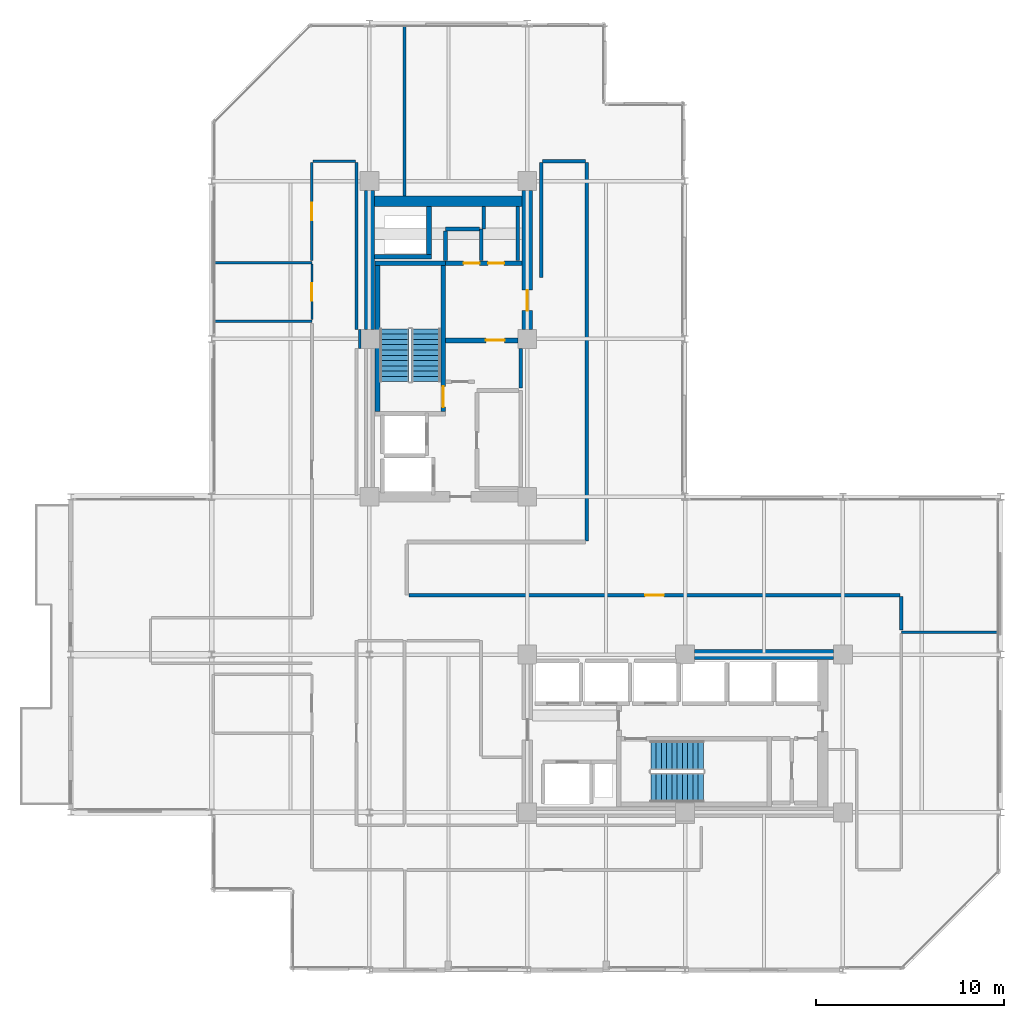
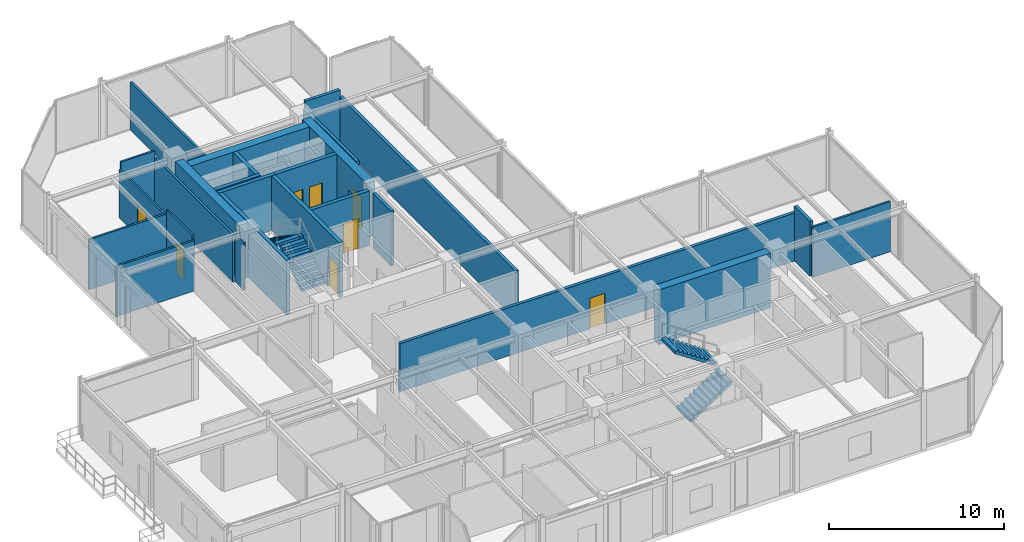
# One storey, part 26 of 29: 31 walls, 8 doors, 4 stair flights, 8 openings, 2 elements without a shape of their own.
"""IFC4 building model written with IfcOpenShell, lengths in metres."""

from ifc_helpers import new_model, si_unit, direction, frame, frame_2d, origin, place, context, subcontext, project, spatial, polyline, rectangle, outline, extrude, material, layer, layer_set, type_object, element, fill, aggregate, save


model = new_model("IFC4")

# Units and contexts
model_context = context("Model", 3, precision=1e-05, world=origin(), true_north=direction((0.0, 1.0)))
body_context = subcontext(model_context, "Body", "Model", "MODEL_VIEW")
ifc_project = project(units=[si_unit("LENGTHUNIT", "METRE"), si_unit("AREAUNIT", "SQUARE_METRE"), si_unit("VOLUMEUNIT", "CUBIC_METRE"), si_unit("PLANEANGLEUNIT", "RADIAN"), si_unit("MASSUNIT", "GRAM", prefix="KILO")], contexts=[model_context])

# Site, building, storey
site_placement = place(None, origin())
site = spatial("IfcSite", under=ifc_project, at=site_placement, CompositionType="ELEMENT")
building_placement = place(site_placement, origin())
building = spatial("IfcBuilding", under=site, at=building_placement, Name="Nerrivon Quay Data Exchange", CompositionType="ELEMENT")
storey_placement = place(building_placement, frame((0.0, 0.0, 175.5)))
storey = spatial("IfcBuildingStorey", under=building, at=storey_placement, Name="L41", CompositionType="ELEMENT", Elevation=175.5)

# Walls
ifc_material_1 = material(Name="Concrete S65 (65 MPa)", Category="concrete")
ifc_layer_1 = layer(ifc_material_1, 0.550048828125)
ifc_layer_set_1 = layer_set([ifc_layer_1], Name="Concrete S65 (65 MPa)")
wall_type_1 = type_object("IfcWallType", Name="WALL-CW-700", PredefinedType="SHEAR", material=ifc_layer_set_1)
wall_1_placement = place(storey_placement, frame((8.39990234375, 34.10009765625, 0.0), z_axis=(0.0, 0.0, 1.0), x_axis=(0.0, 1.0, 0.0)))
element("IfcWall", 1, at=wall_1_placement, inside=storey, type_object=wall_type_1, Name="L41 West Split-Core Shear Wall WCW-W2", PredefinedType="SHEAR", context=body_context, shape_type="SweptSolid", body=[
    extrude(rectangle(XDim=7.39990234375, YDim=0.550048828125, at=frame_2d((3.699951171875, 0.0))), origin(), (0.0, 0.0, 1.0), 3.824951171875),
])
wall_2_placement = place(storey_placement, frame((8.675048828125, 40.925048828125, 0.0), z_axis=(0.0, 0.0, 1.0), x_axis=(1.0, 0.0, 0.0)))
element("IfcWall", 2, at=wall_2_placement, inside=storey, type_object=wall_type_1, Name="L41 West Split-Core Shear Wall WCW-N1", PredefinedType="SHEAR", context=body_context, shape_type="SweptSolid", body=[
    extrude(rectangle(XDim=7.849853515625, YDim=0.550048828125, at=frame_2d((3.9248046875, 0.0))), origin(), (0.0, 0.0, 1.0), 3.824951171875),
])

# Wall, opening, door
wall_3_placement = place(storey_placement, frame((16.800048828125, 34.10009765625, 0.0), z_axis=(0.0, 0.0, 1.0), x_axis=(0.0, 1.0, 0.0)))
wall_3 = element("IfcWall", 3, at=wall_3_placement, inside=storey, type_object=wall_type_1, Name="L41 West Split-Core Shear Wall WCW-E1", PredefinedType="SHEAR", context=body_context, shape_type="SweptSolid", body=[
    extrude(rectangle(XDim=7.39990234375, YDim=0.550048828125, at=frame_2d((3.699951171875, 0.0))), origin(), (0.0, 0.0, 1.0), 3.824951171875),
])
opening_1_placement = place(wall_3_placement, frame((1.0, 0.0, 0.0)))
opening_1 = element("IfcOpeningElement", 4, at=opening_1_placement, cuts=wall_3, Name="Opening FD-120", PredefinedType="OPENING", context=body_context, shape_type="SweptSolid", body=[
    extrude(rectangle(XDim=1.10009765625, YDim=2.14990234375, at=frame_2d((0.550048828125, 1.074951171875))), frame((0.0, 0.284912109375, 0.0), z_axis=(0.0, -1.0, 0.0), x_axis=(1.0, 0.0, 0.0)), (0.0, 0.0, 1.0), 0.570068359375),
])
ifc_material_2 = material(Name="Powder-coated galvanized steel sheet", Category="steel")
door_type_1 = type_object("IfcDoorType", Name="DR-FD120-1100", OperationType="NOTDEFINED", PredefinedType="DOOR", material=ifc_material_2)
door_1_placement = place(opening_1_placement, origin())
door_1 = element("IfcDoor", 5, at=door_1_placement, inside=storey, type_object=door_type_1, Name="L41 West Core Lobby Fire Door", OperationType="SINGLE_SWING_LEFT", OverallHeight=2.14990234375, OverallWidth=1.10009765625, PredefinedType="DOOR", context=body_context, shape_type="SweptSolid", body=[
    extrude(rectangle(XDim=1.10009765625, YDim=2.14990234375, at=frame_2d((0.550048828125, 1.074951171875))), frame((0.0, 0.02490234375, 0.0), z_axis=(0.0, -1.0, 0.0), x_axis=(1.0, 0.0, 0.0)), (0.0, 0.0, 1.0), 0.050048828125),
])
fill(opening_1, door_1)

# Walls
wall_4_placement = place(storey_placement, frame((25.699951171875, 16.800048828125, 0.0), z_axis=(0.0, 0.0, 1.0), x_axis=(1.0, 0.0, 0.0)))
element("IfcWall", 6, at=wall_4_placement, inside=storey, type_object=wall_type_1, Name="L41 East Split-Core Shear Wall ECW-N1", PredefinedType="SHEAR", context=body_context, shape_type="SweptSolid", body=[
    extrude(rectangle(XDim=7.400146484375, YDim=0.550048828125, at=frame_2d((3.7001953125, 0.0))), origin(), (0.0, 0.0, 1.0), 3.824951171875),
])
ifc_material_3 = material(Name="Gypsum plasterboard on cold-formed framing", Category="gypsum")
ifc_layer_2 = layer(ifc_material_3, 0.199951171875)
ifc_layer_set_2 = layer_set([ifc_layer_2], Name="Gypsum plasterboard on cold-formed framing")
wall_type_2 = type_object("IfcWallType", Name="WALL-FW-200", PredefinedType="PARTITIONING", material=ifc_layer_set_2)
wall_5_placement = place(storey_placement, frame((16.449951171875, 31.0, 0.0), z_axis=(0.0, 0.0, 1.0), x_axis=(0.0, 1.0, 0.0)))
element("IfcWall", 7, at=wall_5_placement, inside=storey, type_object=wall_type_2, Name="L41 Partition Core Equipment Closet", PredefinedType="PARTITIONING", context=body_context, shape_type="SweptSolid", body=[
    extrude(rectangle(XDim=2.094970703125, YDim=0.199951171875, at=frame_2d((1.04736328125, 0.0))), origin(), (0.0, 0.0, 1.0), 3.824951171875),
])
wall_6_placement = place(storey_placement, frame((14.35009765625, 37.780029296875, 0.0), z_axis=(0.0, 0.0, 1.0), x_axis=(0.0, 1.0, 0.0)))
element("IfcWall", 8, at=wall_6_placement, inside=storey, type_object=wall_type_2, Name="L41 Partition Equipment Store", PredefinedType="PARTITIONING", context=body_context, shape_type="SweptSolid", body=[
    extrude(rectangle(XDim=1.669921875, YDim=0.199951171875, at=frame_2d((0.8349609375, 0.0))), origin(), (0.0, 0.0, 1.0), 2.875),
])
wall_7_placement = place(storey_placement, frame((14.24609375, 39.449951171875, 0.0), z_axis=(0.0, 0.0, 1.0), x_axis=(-1.0, 0.0, 0.0)))
element("IfcWall", 9, at=wall_7_placement, inside=storey, type_object=wall_type_2, Name="L41 Partition Equipment Store", PredefinedType="PARTITIONING", context=body_context, shape_type="SweptSolid", body=[
    extrude(rectangle(XDim=1.796142578125, YDim=0.199951171875, at=frame_2d((0.89794921875, 0.0))), origin(), (0.0, 0.0, 1.0), 2.875),
])
wall_8_placement = place(storey_placement, frame((12.449951171875, 39.345947265625, 0.0), z_axis=(0.0, 0.0, 1.0), x_axis=(0.0, -1.0, 0.0)))
element("IfcWall", 10, at=wall_8_placement, inside=storey, type_object=wall_type_2, Name="L41 Partition Equipment Store", PredefinedType="PARTITIONING", context=body_context, shape_type="SweptSolid", body=[
    extrude(rectangle(XDim=1.56591796875, YDim=0.199951171875, at=frame_2d((0.782958984375, 0.0))), origin(), (0.0, 0.0, 1.0), 2.875),
])
wall_9_placement = place(storey_placement, frame((16.300048828125, 37.780029296875, 0.0), z_axis=(0.0, 0.0, 1.0), x_axis=(0.0, 1.0, 0.0)))
element("IfcWall", 11, at=wall_9_placement, inside=storey, type_object=wall_type_2, Name="L41 Partition Cleaners Store", PredefinedType="PARTITIONING", context=body_context, shape_type="SweptSolid", body=[
    extrude(rectangle(XDim=2.865966796875, YDim=0.199951171875, at=frame_2d((1.43310546875, 0.0))), origin(), (0.0, 0.0, 1.0), 2.875),
])
wall_10_placement = place(storey_placement, frame((14.489990234375, 40.64599609375, 0.0), z_axis=(0.0, 0.0, 1.0), x_axis=(0.0, -1.0, 0.0)))
element("IfcWall", 12, at=wall_10_placement, inside=storey, type_object=wall_type_2, Name="L41 Partition Cleaners Store", PredefinedType="PARTITIONING", context=body_context, shape_type="SweptSolid", body=[
    extrude(rectangle(XDim=1.196044921875, YDim=0.199951171875, at=frame_2d((0.59814453125, 0.0))), origin(), (0.0, 0.0, 1.0), 2.875),
])
wall_11_placement = place(storey_placement, frame((36.7099609375, 19.89990234375, 0.0), z_axis=(0.0, 0.0, 1.0), x_axis=(0.0, -1.0, 0.0)))
element("IfcWall", 13, at=wall_11_placement, inside=storey, type_object=wall_type_2, Name="L41 Partition Colocation Data Workspace 1", PredefinedType="PARTITIONING", context=body_context, shape_type="SweptSolid", body=[
    extrude(rectangle(XDim=1.78076171875, YDim=0.199951171875, at=frame_2d((0.890380859375, 0.0))), origin(), (0.0, 0.0, 1.0), 3.824951171875),
])
wall_12_placement = place(storey_placement, frame((17.5400390625, 36.860107421875, 0.0), z_axis=(0.0, 0.0, 1.0), x_axis=(0.0, 1.0, 0.0)))
element("IfcWall", 14, at=wall_12_placement, inside=storey, type_object=wall_type_2, Name="L41 Partition Colocation Data Workspace 1", PredefinedType="PARTITIONING", context=body_context, shape_type="SweptSolid", body=[
    extrude(rectangle(XDim=6.139892578125, YDim=0.199951171875, at=frame_2d((3.06982421875, 0.0))), origin(), (0.0, 0.0, 1.0), 3.364990234375),
])
wall_13_placement = place(storey_placement, frame((17.60009765625, 43.06005859375, 0.0), z_axis=(0.0, 0.0, 1.0), x_axis=(1.0, 0.0, 0.0)))
element("IfcWall", 15, at=wall_13_placement, inside=storey, type_object=wall_type_2, Name="L41 Partition Colocation Data Workspace 1", PredefinedType="PARTITIONING", context=body_context, shape_type="SweptSolid", body=[
    extrude(rectangle(XDim=2.2998046875, YDim=0.199951171875, at=frame_2d((1.14990234375, 0.0))), origin(), (0.0, 0.0, 1.0), 3.824951171875),
])
wall_14_placement = place(storey_placement, frame((19.9599609375, 43.0, 0.0), z_axis=(0.0, 0.0, 1.0), x_axis=(0.0, -1.0, 0.0)))
element("IfcWall", 16, at=wall_14_placement, inside=storey, type_object=wall_type_2, Name="L41 Partition Colocation Data Workspace 1", PredefinedType="PARTITIONING", context=body_context, shape_type="SweptSolid", body=[
    extrude(rectangle(XDim=20.14990234375, YDim=0.199951171875, at=frame_2d((10.074951171875, 0.0))), origin(), (0.0, 0.0, 1.0), 3.364990234375),
])

# Wall, opening, door
wall_15_placement = place(storey_placement, frame((10.493896484375, 19.9599609375, 0.0), z_axis=(0.0, 0.0, 1.0), x_axis=(1.0, 0.0, 0.0)))
wall_15 = element("IfcWall", 17, at=wall_15_placement, inside=storey, type_object=wall_type_2, Name="L41 Partition Colocation Data Workspace 1", PredefinedType="PARTITIONING", context=body_context, shape_type="SweptSolid", body=[
    extrude(rectangle(XDim=26.156005859375, YDim=0.199951171875, at=frame_2d((13.078125, 0.0))), origin(), (0.0, 0.0, 1.0), 3.37109375),
])
opening_2_placement = place(wall_15_placement, frame((12.578125, 0.0, 0.0)))
opening_2 = element("IfcOpeningElement", 18, at=opening_2_placement, cuts=wall_15, Name="Opening FD-60", PredefinedType="OPENING", context=body_context, shape_type="SweptSolid", body=[
    extrude(rectangle(XDim=1.0, YDim=2.14990234375, at=frame_2d((0.5, 1.074951171875))), frame((0.0, 0.10986328125, 0.0), z_axis=(0.0, -1.0, 0.0), x_axis=(1.0, 0.0, 0.0)), (0.0, 0.0, 1.0), 0.219970703125),
])
ifc_material_4 = material(Name="Engineered hardwood timber", Category="wood")
door_type_2 = type_object("IfcDoorType", Name="DR-FD60-1000", OperationType="NOTDEFINED", PredefinedType="DOOR", material=ifc_material_4)
door_2_placement = place(opening_2_placement, origin())
door_2 = element("IfcDoor", 19, at=door_2_placement, inside=storey, type_object=door_type_2, Name="L41 Door Colocation Data Workspace 1", OperationType="SINGLE_SWING_LEFT", OverallHeight=2.14990234375, OverallWidth=1.0, PredefinedType="DOOR", context=body_context, shape_type="SweptSolid", body=[
    extrude(rectangle(XDim=1.0, YDim=2.14990234375, at=frame_2d((0.5, 1.074951171875))), frame((0.0, 0.02490234375, 0.0), z_axis=(0.0, -1.0, 0.0), x_axis=(1.0, 0.0, 0.0)), (0.0, 0.0, 1.0), 0.050048828125),
])
fill(opening_2, door_2)

ifc_layer_3 = layer(ifc_material_3, 0.1201171875)
ifc_layer_set_3 = layer_set([ifc_layer_3], Name="Gypsum plasterboard on cold-formed framing")
wall_type_3 = type_object("IfcWallType", Name="WALL-PT-120", PredefinedType="PARTITIONING", material=ifc_layer_set_3)
wall_16_placement = place(storey_placement, frame((5.340087890625, 34.62158203125, 0.0), z_axis=(0.0, 0.0, 1.0), x_axis=(0.0, 1.0, 0.0)))
wall_16 = element("IfcWall", 20, at=wall_16_placement, inside=storey, type_object=wall_type_3, Name="L41 Partition Public Washrooms", PredefinedType="PARTITIONING", context=body_context, shape_type="SweptSolid", body=[
    extrude(rectangle(XDim=2.95703125, YDim=0.1201171875, at=frame_2d((1.478515625, 0.0))), origin(), (0.0, 0.0, 1.0), 3.824951171875),
])
opening_3_placement = place(wall_16_placement, frame((1.0185546875, 0.0, 0.0)))
opening_3 = element("IfcOpeningElement", 21, at=opening_3_placement, cuts=wall_16, Name="Opening D-WC", PredefinedType="OPENING", context=body_context, shape_type="SweptSolid", body=[
    extrude(rectangle(XDim=0.919921875, YDim=2.10009765625, at=frame_2d((0.4599609375, 1.050048828125))), frame((0.0, 0.070068359375, 0.0), z_axis=(0.0, -1.0, 0.0), x_axis=(1.0, 0.0, 0.0)), (0.0, 0.0, 1.0), 0.14013671875),
])
door_type_3 = type_object("IfcDoorType", Name="DR-WC-920", OperationType="NOTDEFINED", PredefinedType="DOOR", material=ifc_material_4)
door_3_placement = place(opening_3_placement, origin())
door_3 = element("IfcDoor", 22, at=door_3_placement, inside=storey, type_object=door_type_3, Name="L41 Door Public Washrooms", OperationType="SINGLE_SWING_RIGHT", OverallHeight=2.10009765625, OverallWidth=0.919921875, PredefinedType="DOOR", context=body_context, shape_type="SweptSolid", body=[
    extrude(rectangle(XDim=0.919921875, YDim=2.10009765625, at=frame_2d((0.4599609375, 1.050048828125))), frame((0.0, 0.02490234375, 0.0), z_axis=(0.0, -1.0, 0.0), x_axis=(1.0, 0.0, 0.0)), (0.0, 0.0, 1.0), 0.050048828125),
])
fill(opening_3, door_3)

# Walls
wall_17_placement = place(storey_placement, frame((7.88037109375, 33.09619140625, 0.0), z_axis=(0.0, 0.0, 1.0), x_axis=(-0.000486381265, 0.999999881717, 0.0)))
element("IfcWall", 23, at=wall_17_placement, inside=storey, type_object=wall_type_3, Name="L41 Partition Network Security Control", PredefinedType="PARTITIONING", context=body_context, shape_type="SweptSolid", body=[
    extrude(rectangle(XDim=1.00390625, YDim=0.1201171875, at=frame_2d((0.501953125, 0.0))), origin(), (0.0, 0.0, 1.0), 3.364990234375),
])
wall_18_placement = place(storey_placement, frame((5.39990234375, 43.06005859375, 0.0), z_axis=(0.0, 0.0, 1.0), x_axis=(1.0, 0.0, 0.0)))
element("IfcWall", 24, at=wall_18_placement, inside=storey, type_object=wall_type_3, Name="L41 Partition Network Security Control", PredefinedType="PARTITIONING", context=body_context, shape_type="SweptSolid", body=[
    extrude(rectangle(XDim=2.25, YDim=0.1201171875, at=frame_2d((1.125, 0.0))), origin(), (0.0, 0.0, 1.0), 3.824951171875),
])
ifc_layer_4 = layer(ifc_material_3, 0.135009765625)
ifc_layer_set_4 = layer_set([ifc_layer_4], Name="Gypsum plasterboard on cold-formed framing")
wall_type_4 = type_object("IfcWallType", Name="WALL-PT-135", PredefinedType="PARTITIONING", material=ifc_layer_set_4)
for number, where, z_axis, x_axis, name in (
    (25, (5.340087890625, 37.64990234375, 0.0), (0.0, 0.0, 1.0), (-1.0, 0.0, 0.0), "L41 Partition Public Washrooms"),
    (26, (0.1689453125, 34.550048828125, 0.0), (0.0, 0.0, 1.0), (1.0, 0.0, 0.0), "L41 Partition Public Washrooms"),
):
    element("IfcWall", number, at=place(storey_placement, frame(where, z_axis=z_axis, x_axis=x_axis)), inside=storey, type_object=wall_type_4, Name=name, PredefinedType="PARTITIONING", context=body_context, shape_type="SweptSolid", body=[
        extrude(rectangle(XDim=5.171142578125, YDim=0.135009765625, at=frame_2d((2.58544921875, 0.0))), origin(), (0.0, 0.0, 1.0), 3.51806640625),
    ])

# Wall, opening, door
wall_19_placement = place(storey_placement, frame((5.340087890625, 37.77001953125, 0.0), z_axis=(0.0, 0.0, 1.0), x_axis=(0.0, 1.0, 0.0)))
wall_19 = element("IfcWall", 27, at=wall_19_placement, inside=storey, type_object=wall_type_4, Name="L41 Partition Network Security Control", PredefinedType="PARTITIONING", context=body_context, shape_type="SweptSolid", body=[
    extrude(rectangle(XDim=5.22998046875, YDim=0.135009765625, at=frame_2d((2.614990234375, 0.0))), origin(), (0.0, 0.0, 1.0), 3.364990234375),
])
opening_4_placement = place(wall_19_placement, frame((2.139892578125, 0.0, 0.0)))
opening_4 = element("IfcOpeningElement", 28, at=opening_4_placement, cuts=wall_19, Name="Opening D-01", PredefinedType="OPENING", context=body_context, shape_type="SweptSolid", body=[
    extrude(rectangle(XDim=0.949951171875, YDim=2.14990234375, at=frame_2d((0.47509765625, 1.074951171875))), frame((0.0, 0.077392578125, 0.0), z_axis=(0.0, -1.0, 0.0), x_axis=(1.0, 0.0, 0.0)), (0.0, 0.0, 1.0), 0.155029296875),
])
door_type_4 = type_object("IfcDoorType", Name="DR-INT-950", OperationType="NOTDEFINED", PredefinedType="DOOR", material=ifc_material_4)
door_4_placement = place(opening_4_placement, origin())
door_4 = element("IfcDoor", 29, at=door_4_placement, inside=storey, type_object=door_type_4, Name="L41 Door Network Security Control", OperationType="SINGLE_SWING_RIGHT", OverallHeight=2.14990234375, OverallWidth=0.949951171875, PredefinedType="DOOR", context=body_context, shape_type="SweptSolid", body=[
    extrude(rectangle(XDim=0.949951171875, YDim=2.14990234375, at=frame_2d((0.47509765625, 1.074951171875))), frame((0.0, 0.02490234375, 0.0), z_axis=(0.0, -1.0, 0.0), x_axis=(1.0, 0.0, 0.0)), (0.0, 0.0, 1.0), 0.050048828125),
])
fill(opening_4, door_4)

# Walls
wall_20_placement = place(storey_placement, frame((41.8310546875, 17.999267578125, 0.0), z_axis=(0.0, 0.0, 1.0), x_axis=(-1.0, 0.0, 0.0)))
element("IfcWall", 30, at=wall_20_placement, inside=storey, type_object=wall_type_4, Name="L41 Partition Technical Library", PredefinedType="PARTITIONING", context=body_context, shape_type="SweptSolid", body=[
    extrude(rectangle(XDim=5.12109375, YDim=0.135009765625, at=frame_2d((2.560546875, 0.0))), origin(), (0.0, 0.0, 1.0), 3.51806640625),
])
ifc_layer_5 = layer(ifc_material_3, 0.14990234375)
ifc_layer_set_5 = layer_set([ifc_layer_5], Name="Gypsum plasterboard on cold-formed framing")
wall_type_5 = type_object("IfcWallType", Name="WALL-PT-150", PredefinedType="PARTITIONING", material=ifc_layer_set_5)
wall_21_placement = place(storey_placement, frame((10.269775390625, 41.2041015625, 0.0), z_axis=(0.0, 0.0, 1.0), x_axis=(0.0, 1.0, 0.0)))
element("IfcWall", 31, at=wall_21_placement, inside=storey, type_object=wall_type_5, Name="L41 Partition Network Security Control", PredefinedType="PARTITIONING", context=body_context, shape_type="SweptSolid", body=[
    extrude(rectangle(XDim=9.02685546875, YDim=0.14990234375, at=frame_2d((4.513427734375, 0.0))), origin(), (0.0, 0.0, 1.0), 3.364990234375),
])
wall_22_placement = place(storey_placement, frame((7.7099609375, 43.0, 0.0), z_axis=(0.0, 0.0, 1.0), x_axis=(0.0, -1.0, 0.0)))
element("IfcWall", 32, at=wall_22_placement, inside=storey, type_object=wall_type_5, Name="L41 Partition Network Security Control", PredefinedType="PARTITIONING", context=body_context, shape_type="SweptSolid", body=[
    extrude(rectangle(XDim=8.900146484375, YDim=0.14990234375, at=frame_2d((4.4501953125, 0.0))), origin(), (0.0, 0.0, 1.0), 3.364990234375),
])
ifc_material_5 = material(Name="Concrete N50 (50 MPa)", Category="concrete")
ifc_layer_6 = layer(ifc_material_5, 0.25)
ifc_layer_set_6 = layer_set([ifc_layer_6], Name="Concrete N50 (50 MPa)")
wall_type_6 = type_object("IfcWallType", Name="WALL-SW-250", PredefinedType="SHEAR", material=ifc_layer_set_6)
wall_23_placement = place(storey_placement, frame((12.449951171875, 37.625, 0.0), z_axis=(0.0, 0.0, 1.0), x_axis=(-1.0, 0.0, 0.0)))
element("IfcWall", 33, at=wall_23_placement, inside=storey, type_object=wall_type_6, Name="L41 ST01 Structural Stair Core Wall FAR", PredefinedType="SHEAR", context=body_context, shape_type="SweptSolid", body=[
    extrude(rectangle(XDim=3.75, YDim=0.25, at=frame_2d((1.875, 0.0))), origin(), (0.0, 0.0, 1.0), 3.824951171875),
])

# Wall, opening, door
wall_24_placement = place(storey_placement, frame((12.324951171875, 29.75, 0.0), z_axis=(0.0, 0.0, 1.0), x_axis=(0.0, 1.0, 0.0)))
wall_24 = element("IfcWall", 34, at=wall_24_placement, inside=storey, type_object=wall_type_6, Name="L41 ST01 Structural Stair Core Wall LEFT", PredefinedType="SHEAR", context=body_context, shape_type="SweptSolid", body=[
    extrude(rectangle(XDim=7.75, YDim=0.25, at=frame_2d((3.875, 0.0))), origin(), (0.0, 0.0, 1.0), 3.824951171875),
])
opening_5_placement = place(wall_24_placement, frame((0.219970703125, 0.0, 0.0)))
opening_5 = element("IfcOpeningElement", 35, at=opening_5_placement, cuts=wall_24, Name="Opening FD-120", PredefinedType="OPENING", context=body_context, shape_type="SweptSolid", body=[
    extrude(rectangle(XDim=1.10009765625, YDim=2.14990234375, at=frame_2d((0.550048828125, 1.074951171875))), frame((0.0, 0.135009765625, 0.0), z_axis=(0.0, -1.0, 0.0), x_axis=(1.0, 0.0, 0.0)), (0.0, 0.0, 1.0), 0.27001953125),
])
door_5_placement = place(opening_5_placement, origin())
door_5 = element("IfcDoor", 36, at=door_5_placement, inside=storey, type_object=door_type_1, Name="L41 Protected Stair Door ST01", OperationType="SINGLE_SWING_LEFT", OverallHeight=2.14990234375, OverallWidth=1.10009765625, PredefinedType="DOOR", context=body_context, shape_type="SweptSolid", body=[
    extrude(rectangle(XDim=1.10009765625, YDim=2.14990234375, at=frame_2d((0.550048828125, 1.074951171875))), frame((0.0, 0.02490234375, 0.0), z_axis=(0.0, -1.0, 0.0), x_axis=(1.0, 0.0, 0.0)), (0.0, 0.0, 1.0), 0.050048828125),
])
fill(opening_5, door_5)

# Walls
wall_25_placement = place(storey_placement, frame((8.824951171875, 29.75, 0.0), z_axis=(0.0, 0.0, 1.0), x_axis=(0.0, 1.0, 0.0)))
element("IfcWall", 37, at=wall_25_placement, inside=storey, type_object=wall_type_6, Name="L41 ST01 Structural Stair Core Wall RIGHT", PredefinedType="SHEAR", context=body_context, shape_type="SweptSolid", body=[
    extrude(rectangle(XDim=7.75, YDim=0.25, at=frame_2d((3.875, 0.0))), origin(), (0.0, 0.0, 1.0), 3.824951171875),
])
wall_26_placement = place(storey_placement, frame((8.675048828125, 37.97509765625, 0.0), z_axis=(0.0, 0.0, 1.0), x_axis=(1.0, 0.0, 0.0)))
element("IfcWall", 38, at=wall_26_placement, inside=storey, type_object=wall_type_6, Name="L41 West Core MEP Riser Shaft Wall S", PredefinedType="SHEAR", context=body_context, shape_type="SweptSolid", body=[
    extrude(rectangle(XDim=3.02490234375, YDim=0.25, at=frame_2d((1.512451171875, 0.0))), origin(), (0.0, 0.0, 1.0), 3.824951171875),
])
wall_27_placement = place(storey_placement, frame((11.574951171875, 38.10009765625, 0.0), z_axis=(0.0, 0.0, 1.0), x_axis=(0.0, 1.0, 0.0)))
element("IfcWall", 39, at=wall_27_placement, inside=storey, type_object=wall_type_6, Name="L41 West Core MEP Riser Shaft Wall E", PredefinedType="SHEAR", context=body_context, shape_type="SweptSolid", body=[
    extrude(rectangle(XDim=2.5498046875, YDim=0.25, at=frame_2d((1.27490234375, 0.0))), origin(), (0.0, 0.0, 1.0), 3.824951171875),
])

# Wall, opening, door
wall_28_placement = place(storey_placement, frame((12.449951171875, 33.52001953125, 0.0), z_axis=(0.0, 0.0, 1.0), x_axis=(1.0, 0.0, 0.0)))
wall_28 = element("IfcWall", 40, at=wall_28_placement, inside=storey, type_object=wall_type_6, Name="L41 West Lobby Smoke-Stop Wall", PredefinedType="SHEAR", context=body_context, shape_type="SweptSolid", body=[
    extrude(rectangle(XDim=3.85009765625, YDim=0.25, at=frame_2d((1.925048828125, 0.0))), origin(), (0.0, 0.0, 1.0), 3.824951171875),
])
opening_6_placement = place(wall_28_placement, frame((2.14990234375, 0.0, 0.0)))
opening_6 = element("IfcOpeningElement", 41, at=opening_6_placement, cuts=wall_28, Name="Opening FD-60", PredefinedType="OPENING", context=body_context, shape_type="SweptSolid", body=[
    extrude(rectangle(XDim=1.0, YDim=2.14990234375, at=frame_2d((0.5, 1.074951171875))), frame((0.0, 0.135009765625, 0.0), z_axis=(0.0, -1.0, 0.0), x_axis=(1.0, 0.0, 0.0)), (0.0, 0.0, 1.0), 0.27001953125),
])
door_6_placement = place(opening_6_placement, origin())
door_6 = element("IfcDoor", 42, at=door_6_placement, inside=storey, type_object=door_type_2, Name="L41 West Firefighting Lobby Fire Door", OperationType="SINGLE_SWING_LEFT", OverallHeight=2.14990234375, OverallWidth=1.0, PredefinedType="DOOR", context=body_context, shape_type="SweptSolid", body=[
    extrude(rectangle(XDim=1.0, YDim=2.14990234375, at=frame_2d((0.5, 1.074951171875))), frame((0.0, 0.02490234375, 0.0), z_axis=(0.0, -1.0, 0.0), x_axis=(1.0, 0.0, 0.0)), (0.0, 0.0, 1.0), 0.050048828125),
])
fill(opening_6, door_6)

# Wall, openings, doors
wall_29_placement = place(storey_placement, frame((12.449951171875, 37.625, 0.0), z_axis=(0.0, 0.0, 1.0), x_axis=(1.0, 0.0, 0.0)))
wall_29 = element("IfcWall", 43, at=wall_29_placement, inside=storey, type_object=wall_type_6, Name="L41 West Firefighting Lobby Wall", PredefinedType="SHEAR", context=body_context, shape_type="SweptSolid", body=[
    extrude(rectangle(XDim=4.074951171875, YDim=0.25, at=frame_2d((2.03759765625, 0.0))), origin(), (0.0, 0.0, 1.0), 3.824951171875),
])
opening_7_placement = place(wall_29_placement, frame((0.96044921875, 0.0, 0.0)))
opening_7 = element("IfcOpeningElement", 44, at=opening_7_placement, cuts=wall_29, Name="Opening FD-60S", PredefinedType="OPENING", context=body_context, shape_type="SweptSolid", body=[
    extrude(rectangle(XDim=0.85009765625, YDim=2.14990234375, at=frame_2d((0.425048828125, 1.074951171875))), frame((0.0, 0.135009765625, 0.0), z_axis=(0.0, -1.0, 0.0), x_axis=(1.0, 0.0, 0.0)), (0.0, 0.0, 1.0), 0.27001953125),
])
opening_8_placement = place(wall_29_placement, frame((2.264404296875, 0.0, 0.0)))
opening_8 = element("IfcOpeningElement", 45, at=opening_8_placement, cuts=wall_29, Name="Opening FD-60S", PredefinedType="OPENING", context=body_context, shape_type="SweptSolid", body=[
    extrude(rectangle(XDim=0.85009765625, YDim=2.14990234375, at=frame_2d((0.425048828125, 1.074951171875))), frame((0.0, 0.135009765625, 0.0), z_axis=(0.0, -1.0, 0.0), x_axis=(1.0, 0.0, 0.0)), (0.0, 0.0, 1.0), 0.27001953125),
])
door_type_5 = type_object("IfcDoorType", Name="DR-FD60-850", OperationType="NOTDEFINED", PredefinedType="DOOR", material=ifc_material_4)
door_7_placement = place(opening_7_placement, origin())
door_7 = element("IfcDoor", 46, at=door_7_placement, inside=storey, type_object=door_type_5, Name="L41 Door Equipment Store", OperationType="SINGLE_SWING_LEFT", OverallHeight=2.14990234375, OverallWidth=0.85009765625, PredefinedType="DOOR", context=body_context, shape_type="SweptSolid", body=[
    extrude(rectangle(XDim=0.85009765625, YDim=2.14990234375, at=frame_2d((0.425048828125, 1.074951171875))), frame((0.0, 0.02490234375, 0.0), z_axis=(0.0, -1.0, 0.0), x_axis=(1.0, 0.0, 0.0)), (0.0, 0.0, 1.0), 0.050048828125),
])
fill(opening_7, door_7)
door_8_placement = place(opening_8_placement, origin())
door_8 = element("IfcDoor", 47, at=door_8_placement, inside=storey, type_object=door_type_5, Name="L41 Door Cleaners Store", OperationType="SINGLE_SWING_RIGHT", OverallHeight=2.14990234375, OverallWidth=0.85009765625, PredefinedType="DOOR", context=body_context, shape_type="SweptSolid", body=[
    extrude(rectangle(XDim=0.85009765625, YDim=2.14990234375, at=frame_2d((0.425048828125, 1.074951171875))), frame((0.0, 0.02490234375, 0.0), z_axis=(0.0, -1.0, 0.0), x_axis=(1.0, 0.0, 0.0)), (0.0, 0.0, 1.0), 0.050048828125),
])
fill(opening_8, door_8)

# Stair, stair flights
stair_type = type_object("IfcStairType", Name="STAIR-DOG-41", PredefinedType="HALF_TURN_STAIR", material=ifc_material_5)
stair_1_placement = place(storey_placement, origin())
stair_1 = element("IfcStair", 48, at=stair_1_placement, inside=storey, type_object=stair_type, Name="L41 West Core Fire Stair ST01", PredefinedType="HALF_TURN_STAIR")
stair_flight_type = type_object("IfcStairFlightType", Name="FLIGHT-DOG-41", PredefinedType="STRAIGHT", material=ifc_material_5)
stair_flight_1_placement = place(storey_placement, frame((11.425048828125, 31.330078125, 0.0), z_axis=(0.0, 0.0, 1.0), x_axis=(0.0, 1.0, 0.0)))
stair_flight_1 = element("IfcStairFlight", 49, at=stair_flight_1_placement, type_object=stair_flight_type, Name="ST01 flight 1", NumberOfRisers=11, NumberOfTreads=10, PredefinedType="STRAIGHT", RiserHeight=0.186363636, TreadLength=0.28, context=body_context, shape_type="SweptSolid", body=[
    extrude(outline(polyline([(0.0, 0.0), (0.0, 0.186279296875), (0.280029296875, 0.186279296875), (0.280029296875, 0.372802734375), (0.56005859375, 0.372802734375), (0.56005859375, 0.55908203125), (0.840087890625, 0.55908203125), (0.840087890625, 0.745361328125), (1.1201171875, 0.745361328125), (1.1201171875, 0.931884765625), (1.39990234375, 0.931884765625), (1.39990234375, 1.1181640625), (1.679931640625, 1.1181640625), (1.679931640625, 1.304443359375), (1.9599609375, 1.304443359375), (1.9599609375, 1.490966796875), (2.239990234375, 1.490966796875), (2.239990234375, 1.67724609375), (2.52001953125, 1.67724609375), (2.52001953125, 1.863525390625), (2.800048828125, 1.863525390625), (2.800048828125, 2.050048828125), (2.800048828125, 1.68359375), (0.2705078125, 0.0), (0.0, 0.0)])), frame((0.0, 0.77490234375, 0.0), z_axis=(0.0, -1.0, 0.0), x_axis=(1.0, 0.0, 0.0)), (0.0, 0.0, 1.0), 1.550048828125),
])
stair_flight_2_placement = place(storey_placement, frame((9.72509765625, 34.1298828125, 2.050048828125), z_axis=(0.0, 0.0, 1.0), x_axis=(0.0, -1.0, 0.0)))
stair_flight_2 = element("IfcStairFlight", 50, at=stair_flight_2_placement, type_object=stair_flight_type, Name="ST01 flight 2", NumberOfRisers=11, NumberOfTreads=10, PredefinedType="STRAIGHT", RiserHeight=0.186363636, TreadLength=0.28, context=body_context, shape_type="SweptSolid", body=[
    extrude(outline(polyline([(0.0, 0.0), (0.0, 0.186279296875), (0.280029296875, 0.186279296875), (0.280029296875, 0.372802734375), (0.56005859375, 0.372802734375), (0.56005859375, 0.55908203125), (0.840087890625, 0.55908203125), (0.840087890625, 0.745361328125), (1.1201171875, 0.745361328125), (1.1201171875, 0.931884765625), (1.39990234375, 0.931884765625), (1.39990234375, 1.1181640625), (1.679931640625, 1.1181640625), (1.679931640625, 1.304443359375), (1.9599609375, 1.304443359375), (1.9599609375, 1.490966796875), (2.239990234375, 1.490966796875), (2.239990234375, 1.67724609375), (2.52001953125, 1.67724609375), (2.52001953125, 1.863525390625), (2.800048828125, 1.863525390625), (2.800048828125, 2.050048828125), (2.800048828125, 1.68359375), (0.2705078125, 0.0), (0.0, 0.0)])), frame((0.0, 0.77490234375, 0.0), z_axis=(0.0, -1.0, 0.0), x_axis=(1.0, 0.0, 0.0)), (0.0, 0.0, 1.0), 1.550048828125),
])
aggregate(stair_1, [stair_flight_1, stair_flight_2])

stair_2_placement = place(storey_placement, origin())
stair_2 = element("IfcStair", 51, at=stair_2_placement, inside=storey, type_object=stair_type, Name="L41 East Core Fire Stair ST02", PredefinedType="HALF_TURN_STAIR")
stair_flight_3_placement = place(storey_placement, frame((23.3798828125, 9.72509765625, 0.0), z_axis=(0.0, 0.0, 1.0), x_axis=(1.0, 0.0, 0.0)))
stair_flight_3 = element("IfcStairFlight", 52, at=stair_flight_3_placement, type_object=stair_flight_type, Name="ST02 flight 1", NumberOfRisers=11, NumberOfTreads=10, PredefinedType="STRAIGHT", RiserHeight=0.186363636, TreadLength=0.28, context=body_context, shape_type="SweptSolid", body=[
    extrude(outline(polyline([(0.0, 0.0), (0.0, 0.186279296875), (0.280029296875, 0.186279296875), (0.280029296875, 0.372802734375), (0.56005859375, 0.372802734375), (0.56005859375, 0.55908203125), (0.840087890625, 0.55908203125), (0.840087890625, 0.745361328125), (1.1201171875, 0.745361328125), (1.1201171875, 0.931884765625), (1.39990234375, 0.931884765625), (1.39990234375, 1.1181640625), (1.679931640625, 1.1181640625), (1.679931640625, 1.304443359375), (1.9599609375, 1.304443359375), (1.9599609375, 1.490966796875), (2.239990234375, 1.490966796875), (2.239990234375, 1.67724609375), (2.52001953125, 1.67724609375), (2.52001953125, 1.863525390625), (2.800048828125, 1.863525390625), (2.800048828125, 2.050048828125), (2.800048828125, 1.68359375), (0.2705078125, 0.0), (0.0, 0.0)])), frame((0.0, 0.77490234375, 0.0), z_axis=(0.0, -1.0, 0.0), x_axis=(1.0, 0.0, 0.0)), (0.0, 0.0, 1.0), 1.550048828125),
])
stair_flight_4_placement = place(storey_placement, frame((26.179931640625, 11.425048828125, 2.050048828125), z_axis=(0.0, 0.0, 1.0), x_axis=(-1.0, 0.0, 0.0)))
stair_flight_4 = element("IfcStairFlight", 53, at=stair_flight_4_placement, type_object=stair_flight_type, Name="ST02 flight 2", NumberOfRisers=11, NumberOfTreads=10, PredefinedType="STRAIGHT", RiserHeight=0.186363636, TreadLength=0.28, context=body_context, shape_type="SweptSolid", body=[
    extrude(outline(polyline([(0.0, 0.0), (0.0, 0.186279296875), (0.280029296875, 0.186279296875), (0.280029296875, 0.372802734375), (0.56005859375, 0.372802734375), (0.56005859375, 0.55908203125), (0.840087890625, 0.55908203125), (0.840087890625, 0.745361328125), (1.1201171875, 0.745361328125), (1.1201171875, 0.931884765625), (1.39990234375, 0.931884765625), (1.39990234375, 1.1181640625), (1.679931640625, 1.1181640625), (1.679931640625, 1.304443359375), (1.9599609375, 1.304443359375), (1.9599609375, 1.490966796875), (2.239990234375, 1.490966796875), (2.239990234375, 1.67724609375), (2.52001953125, 1.67724609375), (2.52001953125, 1.863525390625), (2.800048828125, 1.863525390625), (2.800048828125, 2.050048828125), (2.800048828125, 1.68359375), (0.2705078125, 0.0), (0.0, 0.0)])), frame((0.0, 0.77490234375, 0.0), z_axis=(0.0, -1.0, 0.0), x_axis=(1.0, 0.0, 0.0)), (0.0, 0.0, 1.0), 1.550048828125),
])
aggregate(stair_2, [stair_flight_3, stair_flight_4])

save(model, "model.ifc")
